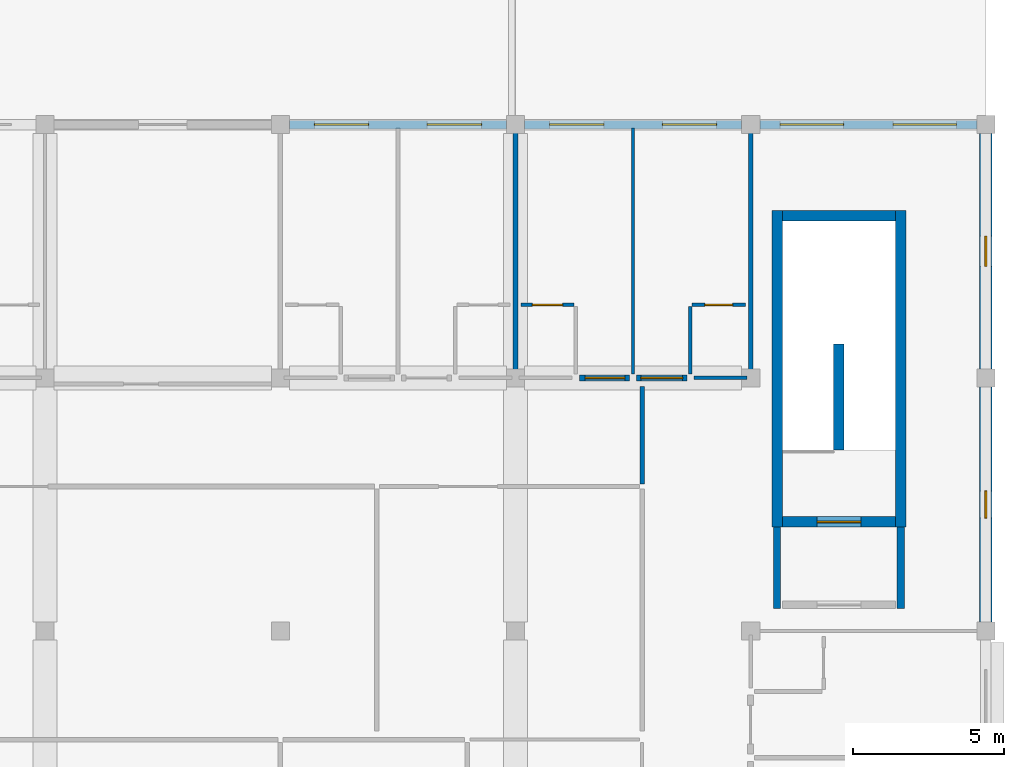
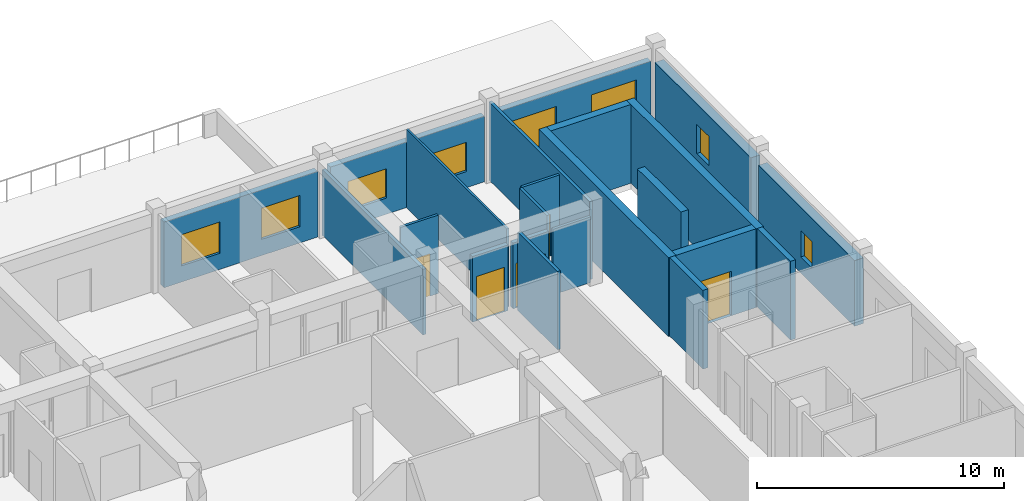
# One storey, part 24 of 32: 22 walls, 8 windows, 5 doors, 13 openings.
"""IFC4 building model written with IfcOpenShell, lengths in metres."""

from ifc_helpers import new_model, si_unit, direction, frame, frame_2d, origin, place, context, subcontext, project, spatial, rectangle, extrude, material, layer, layer_set, type_object, element, fill, save


model = new_model("IFC4")

# Units and contexts
model_context = context("Model", 3, precision=1e-05, world=origin(), true_north=direction((0.0, 1.0)))
body_context = subcontext(model_context, "Body", "Model", "MODEL_VIEW")
ifc_project = project(units=[si_unit("LENGTHUNIT", "METRE"), si_unit("AREAUNIT", "SQUARE_METRE"), si_unit("VOLUMEUNIT", "CUBIC_METRE"), si_unit("PLANEANGLEUNIT", "RADIAN"), si_unit("MASSUNIT", "GRAM", prefix="KILO"), si_unit("THERMODYNAMICTEMPERATUREUNIT", "KELVIN"), si_unit("POWERUNIT", "WATT")], contexts=[model_context])

# Site, building, storey
site_placement = place(None, origin())
site = spatial("IfcSite", under=ifc_project, at=site_placement, CompositionType="ELEMENT")
building_placement = place(site_placement, origin())
building = spatial("IfcBuilding", under=site, at=building_placement, Name="Srebrne Nadtorze General Hospital", CompositionType="ELEMENT")
storey_placement = place(building_placement, frame((0.0, 0.0, 29.699951171875)))
storey = spatial("IfcBuildingStorey", under=building, at=storey_placement, Name="L07", CompositionType="ELEMENT", Elevation=29.699951171875)

# Wall, opening, window
ifc_material_1 = material(Name="Concrete C40/50", Category="concrete")
ifc_layer_1 = layer(ifc_material_1, 0.419921875)
ifc_layer_set_1 = layer_set([ifc_layer_1], Name="Concrete C40/50")
wall_type_1 = type_object("IfcWallType", Name="Acoustic buffer wall 420", PredefinedType="SOLIDWALL", material=ifc_layer_set_1)
wall_1_placement = place(storey_placement, frame((148.199951171875, 67.5, 0.0), z_axis=(0.0, 0.0, 1.0), x_axis=(0.0, 1.0, 0.0)))
wall_1 = element("IfcWall", 1, at=wall_1_placement, inside=storey, type_object=wall_type_1, Name="Exterior wall WL-ENV-L07-0548", PredefinedType="SOLIDWALL", context=body_context, shape_type="SweptSolid", body=[
    extrude(rectangle(XDim=7.800048828125, YDim=0.419921875, at=frame_2d((3.89990234375, 0.0))), origin(), (0.0, 0.0, 1.0), 3.25),
])
opening_1_placement = place(wall_1_placement, frame((3.449951171875, 0.0, 0.800048828125)))
opening_1 = element("IfcOpeningElement", 2, at=opening_1_placement, cuts=wall_1, Name="Opening WN-L07-0924", PredefinedType="OPENING", context=body_context, shape_type="SweptSolid", body=[
    extrude(rectangle(XDim=0.89990234375, YDim=1.300048828125, at=frame_2d((0.449951171875, 0.64990234375))), frame((0.0, 0.221923828125, 0.0), z_axis=(0.0, -1.0, 0.0), x_axis=(1.0, 0.0, 0.0)), (0.0, 0.0, 1.0), 0.44384765625),
])
ifc_material_2 = material(Name="Triple Low-E Glazing", Category="glass")
window_type_1 = type_object("IfcWindowType", Name="Punched clinical window 900x1300", PartitioningType="SINGLE_PANEL", PredefinedType="WINDOW", material=ifc_material_2)
window_1_placement = place(opening_1_placement, origin())
window_1 = element("IfcWindow", 3, at=window_1_placement, inside=storey, type_object=window_type_1, Name="Clinical window WN-L07-0924", OverallHeight=1.300048828125, OverallWidth=0.89990234375, PartitioningType="SINGLE_PANEL", PredefinedType="WINDOW", context=body_context, shape_type="SweptSolid", body=[
    extrude(rectangle(XDim=0.89990234375, YDim=1.300048828125, at=frame_2d((0.449951171875, 0.64990234375))), frame((0.0, 0.030029296875, 0.0), z_axis=(0.0, -1.0, 0.0), x_axis=(1.0, 0.0, 0.0)), (0.0, 0.0, 1.0), 0.06005859375),
])
fill(opening_1, window_1)

wall_2_placement = place(storey_placement, frame((148.199951171875, 75.89990234375, 0.0), z_axis=(0.0, 0.0, 1.0), x_axis=(0.0, 1.0, 0.0)))
wall_2 = element("IfcWall", 4, at=wall_2_placement, inside=storey, type_object=wall_type_1, Name="Exterior wall WL-ENV-L07-0549", PredefinedType="SOLIDWALL", context=body_context, shape_type="SweptSolid", body=[
    extrude(rectangle(XDim=7.800048828125, YDim=0.419921875, at=frame_2d((3.89990234375, 0.0))), origin(), (0.0, 0.0, 1.0), 3.25),
])
opening_2_placement = place(wall_2_placement, frame((3.39990234375, 0.0, 0.800048828125)))
opening_2 = element("IfcOpeningElement", 5, at=opening_2_placement, cuts=wall_2, Name="Opening WN-L07-0925", PredefinedType="OPENING", context=body_context, shape_type="SweptSolid", body=[
    extrude(rectangle(XDim=1.0, YDim=1.449951171875, at=frame_2d((0.5, 0.72509765625))), frame((0.0, 0.221923828125, 0.0), z_axis=(0.0, -1.0, 0.0), x_axis=(1.0, 0.0, 0.0)), (0.0, 0.0, 1.0), 0.44384765625),
])
ifc_material_3 = material(Name="Triple Low-E Glazing", Category="glass")
window_type_2 = type_object("IfcWindowType", Name="Punched clinical window 1000x1450", PartitioningType="SINGLE_PANEL", PredefinedType="WINDOW", material=ifc_material_3)
window_2_placement = place(opening_2_placement, origin())
window_2 = element("IfcWindow", 6, at=window_2_placement, inside=storey, type_object=window_type_2, Name="Clinical window WN-L07-0925", OverallHeight=1.449951171875, OverallWidth=1.0, PartitioningType="SINGLE_PANEL", PredefinedType="WINDOW", context=body_context, shape_type="SweptSolid", body=[
    extrude(rectangle(XDim=1.0, YDim=1.449951171875, at=frame_2d((0.5, 0.72509765625))), frame((0.0, 0.030029296875, 0.0), z_axis=(0.0, -1.0, 0.0), x_axis=(1.0, 0.0, 0.0)), (0.0, 0.0, 1.0), 0.06005859375),
])
fill(opening_2, window_2)

# Walls
ifc_material_4 = material(Name="Gypsum Healthcare Partition")
ifc_layer_2 = layer(ifc_material_4, 0.139892578125)
ifc_layer_set_2 = layer_set([ifc_layer_2], Name="Gypsum Healthcare Partition")
wall_type_2 = type_object("IfcWallType", Name="Clinical partition 140", PredefinedType="PARTITIONING", material=ifc_layer_set_2)
wall_3_placement = place(storey_placement, frame((140.39990234375, 75.719970703125, 0.0), z_axis=(0.0, 0.0, 1.0), x_axis=(0.0, 1.0, 0.0)))
element("IfcWall", 7, at=wall_3_placement, inside=storey, type_object=wall_type_2, Name="Ward inter-room partition WL-INT-L07-2366", PredefinedType="PARTITIONING", context=body_context, shape_type="SweptSolid", body=[
    extrude(rectangle(XDim=8.159912109375, YDim=0.139892578125, at=frame_2d((4.080078125, 0.0))), origin(), (0.0, 0.0, 1.0), 3.880126953125),
])
wall_4_placement = place(storey_placement, frame((136.800048828125, 72.0849609375, 0.0), z_axis=(0.0, 0.0, 1.0), x_axis=(0.0, 1.0, 0.0)))
element("IfcWall", 8, at=wall_4_placement, inside=storey, type_object=wall_type_2, Name="Inpatient Ward Day Room wall WL-INT-L07-2466", PredefinedType="PARTITIONING", context=body_context, shape_type="SweptSolid", body=[
    extrude(rectangle(XDim=3.22998046875, YDim=0.139892578125, at=frame_2d((1.614990234375, 0.0))), origin(), (0.0, 0.0, 1.0), 3.880126953125),
])
ifc_material_5 = material(Name="Gypsum Healthcare Partition")
ifc_layer_3 = layer(ifc_material_5, 0.159912109375)
ifc_layer_set_3 = layer_set([ifc_layer_3], Name="Gypsum Healthcare Partition")
wall_type_3 = type_object("IfcWallType", Name="Clinical partition 160", PredefinedType="PARTITIONING", material=ifc_layer_set_3)
wall_5_placement = place(storey_placement, frame((132.60009765625, 75.719970703125, 0.0), z_axis=(0.0, 0.0, 1.0), x_axis=(0.0, 1.0, 0.0)))
element("IfcWall", 9, at=wall_5_placement, inside=storey, type_object=wall_type_3, Name="Ward inter-room partition WL-INT-L07-2356", PredefinedType="PARTITIONING", context=body_context, shape_type="SweptSolid", body=[
    extrude(rectangle(XDim=8.159912109375, YDim=0.159912109375, at=frame_2d((4.080078125, 0.0))), origin(), (0.0, 0.0, 1.0), 3.25),
])

# Wall, opening, door
ifc_material_6 = material(Name="Gypsum Healthcare Partition")
ifc_layer_4 = layer(ifc_material_6, 0.199951171875)
ifc_layer_set_4 = layer_set([ifc_layer_4], Name="Gypsum Healthcare Partition")
wall_type_4 = type_object("IfcWallType", Name="Compartment wall 200", PredefinedType="STANDARD", material=ifc_layer_set_4)
wall_6_placement = place(storey_placement, frame((134.719970703125, 75.60009765625, 0.0), z_axis=(0.0, 0.0, 1.0), x_axis=(1.0, 0.0, 0.0)))
wall_6 = element("IfcWall", 10, at=wall_6_placement, inside=storey, type_object=wall_type_4, Name="Ward corridor wall WL-INT-L07-2362", PredefinedType="STANDARD", context=body_context, shape_type="SweptSolid", body=[
    extrude(rectangle(XDim=1.659912109375, YDim=0.199951171875, at=frame_2d((0.830078125, 0.0))), origin(), (0.0, 0.0, 1.0), 3.25),
])
opening_3_placement = place(wall_6_placement, frame((0.18994140625, 0.0, 0.0)))
opening_3 = element("IfcOpeningElement", 11, at=opening_3_placement, cuts=wall_6, Name="Opening D-L07-0533", PredefinedType="OPENING", context=body_context, shape_type="SweptSolid", body=[
    extrude(rectangle(XDim=1.320068359375, YDim=2.199951171875, at=frame_2d((0.66015625, 1.10009765625))), frame((0.0, 0.11181640625, 0.0), z_axis=(0.0, -1.0, 0.0), x_axis=(1.0, 0.0, 0.0)), (0.0, 0.0, 1.0), 0.223876953125),
])
ifc_material_7 = material(Name="Anodised Aluminium", Category="aluminium")
door_type_1 = type_object("IfcDoorType", Name="Single leaf door 1320x2200", OperationType="NOTDEFINED", PredefinedType="DOOR", material=ifc_material_7)
door_1_placement = place(opening_3_placement, origin())
door_1 = element("IfcDoor", 12, at=door_1_placement, inside=storey, type_object=door_type_1, Name="Ward patient room door D-L07-0533", OperationType="SINGLE_SWING_RIGHT", OverallHeight=2.199951171875, OverallWidth=1.320068359375, PredefinedType="DOOR", context=body_context, shape_type="SweptSolid", body=[
    extrude(rectangle(XDim=1.320068359375, YDim=2.199951171875, at=frame_2d((0.66015625, 1.10009765625))), frame((0.0, 0.02490234375, 0.0), z_axis=(0.0, -1.0, 0.0), x_axis=(1.0, 0.0, 0.0)), (0.0, 0.0, 1.0), 0.050048828125),
])
fill(opening_3, door_1)

wall_7_placement = place(storey_placement, frame((136.6201171875, 75.60009765625, 0.0), z_axis=(0.0, 0.0, 1.0), x_axis=(1.0, 0.0, 0.0)))
wall_7 = element("IfcWall", 13, at=wall_7_placement, inside=storey, type_object=wall_type_4, Name="Ward corridor wall WL-INT-L07-2367", PredefinedType="STANDARD", context=body_context, shape_type="SweptSolid", body=[
    extrude(rectangle(XDim=1.659912109375, YDim=0.199951171875, at=frame_2d((0.830078125, 0.0))), origin(), (0.0, 0.0, 1.0), 3.25),
])
opening_4_placement = place(wall_7_placement, frame((0.139892578125, 0.0, 0.0)))
opening_4 = element("IfcOpeningElement", 14, at=opening_4_placement, cuts=wall_7, Name="Opening D-L07-0535", PredefinedType="OPENING", context=body_context, shape_type="SweptSolid", body=[
    extrude(rectangle(XDim=1.3798828125, YDim=2.199951171875, at=frame_2d((0.68994140625, 1.10009765625))), frame((0.0, 0.11181640625, 0.0), z_axis=(0.0, -1.0, 0.0), x_axis=(1.0, 0.0, 0.0)), (0.0, 0.0, 1.0), 0.223876953125),
])
ifc_material_8 = material(Name="Anodised Aluminium", Category="aluminium")
door_type_2 = type_object("IfcDoorType", Name="Single leaf door 1380x2200", OperationType="NOTDEFINED", PredefinedType="DOOR", material=ifc_material_8)
door_2_placement = place(opening_4_placement, origin())
door_2 = element("IfcDoor", 15, at=door_2_placement, inside=storey, type_object=door_type_2, Name="Ward patient room door D-L07-0535", OperationType="SINGLE_SWING_LEFT", OverallHeight=2.199951171875, OverallWidth=1.3798828125, PredefinedType="DOOR", context=body_context, shape_type="SweptSolid", body=[
    extrude(rectangle(XDim=1.3798828125, YDim=2.199951171875, at=frame_2d((0.68994140625, 1.10009765625))), frame((0.0, 0.02490234375, 0.0), z_axis=(0.0, -1.0, 0.0), x_axis=(1.0, 0.0, 0.0)), (0.0, 0.0, 1.0), 0.050048828125),
])
fill(opening_4, door_2)

# Walls
ifc_material_9 = material(Name="Gypsum Healthcare Partition")
ifc_layer_5 = layer(ifc_material_9, 0.239990234375)
ifc_layer_set_5 = layer_set([ifc_layer_5], Name="Gypsum Healthcare Partition")
wall_type_5 = type_object("IfcWallType", Name="Corridor fire wall 240", PredefinedType="STANDARD", material=ifc_layer_set_5)
for number, where, z_axis, x_axis, name in (
    (16, (141.27490234375, 67.955078125, 0.0), (0.0, 0.0, 1.0), (0.0, 1.0, 0.0), "Fire lobby wall ST-04 WL-INT-L07-0437"),
    (17, (145.375, 67.955078125, 0.0), (0.0, 0.0, 1.0), (0.0, 1.0, 0.0), "Fire lobby wall ST-04 WL-INT-L07-0438"),
):
    element("IfcWall", number, at=place(storey_placement, frame(where, z_axis=z_axis, x_axis=x_axis)), inside=storey, type_object=wall_type_5, Name=name, PredefinedType="STANDARD", context=body_context, shape_type="SweptSolid", body=[
        extrude(rectangle(XDim=2.69482421875, YDim=0.239990234375, at=frame_2d((1.347412109375, 0.0))), origin(), (0.0, 0.0, 1.0), 3.900146484375),
    ])

# Wall, opening, door
ifc_material_10 = material(Name="Gypsum Healthcare Partition")
ifc_layer_6 = layer(ifc_material_10, 0.1201171875)
ifc_layer_set_6 = layer_set([ifc_layer_6], Name="Gypsum Healthcare Partition")
wall_type_6 = type_object("IfcWallType", Name="En-suite partition 120", PredefinedType="PARTITIONING", material=ifc_layer_set_6)
wall_8_placement = place(storey_placement, frame((132.780029296875, 78.02001953125, 0.0), z_axis=(0.0, 0.0, 1.0), x_axis=(1.0, 0.0, 0.0)))
wall_8 = element("IfcWall", 18, at=wall_8_placement, inside=storey, type_object=wall_type_6, Name="En-suite wet wall WL-INT-L07-2365", PredefinedType="PARTITIONING", context=body_context, shape_type="SweptSolid", body=[
    extrude(rectangle(XDim=1.760009765625, YDim=0.1201171875, at=frame_2d((0.8798828125, 0.0))), origin(), (0.0, 0.0, 1.0), 3.880126953125),
])
opening_5_placement = place(wall_8_placement, frame((0.3798828125, 0.0, 0.0)))
opening_5 = element("IfcOpeningElement", 19, at=opening_5_placement, cuts=wall_8, Name="Opening D-L07-0534", PredefinedType="OPENING", context=body_context, shape_type="SweptSolid", body=[
    extrude(rectangle(XDim=1.0, YDim=2.10009765625, at=frame_2d((0.5, 1.050048828125))), frame((0.0, 0.072021484375, 0.0), z_axis=(0.0, -1.0, 0.0), x_axis=(1.0, 0.0, 0.0)), (0.0, 0.0, 1.0), 0.14404296875),
])
ifc_material_11 = material(Name="Anodised Aluminium", Category="aluminium")
door_type_3 = type_object("IfcDoorType", Name="Single leaf door 1000x2100", OperationType="NOTDEFINED", PredefinedType="DOOR", material=ifc_material_11)
door_3_placement = place(opening_5_placement, frame((1.0, 0.0, 0.0), z_axis=(0.0, 0.0, 1.0), x_axis=(-1.0, 0.0, 0.0)))
door_3 = element("IfcDoor", 20, at=door_3_placement, inside=storey, type_object=door_type_3, Name="En-suite bathroom door D-L07-0534", OperationType="SINGLE_SWING_LEFT", OverallHeight=2.10009765625, OverallWidth=1.0, PredefinedType="DOOR", context=body_context, shape_type="SweptSolid", body=[
    extrude(rectangle(XDim=1.0, YDim=2.10009765625, at=frame_2d((0.5, 1.050048828125))), frame((0.0, 0.02490234375, 0.0), z_axis=(0.0, -1.0, 0.0), x_axis=(1.0, 0.0, 0.0)), (0.0, 0.0, 1.0), 0.050048828125),
])
fill(opening_5, door_3)

# Walls
wall_9_placement = place(storey_placement, frame((138.52001953125, 75.60009765625, 0.0), z_axis=(0.0, 0.0, 1.0), x_axis=(1.0, 0.0, 0.0)))
element("IfcWall", 21, at=wall_9_placement, inside=storey, type_object=wall_type_6, Name="En-suite corridor wall WL-INT-L07-2368", PredefinedType="PARTITIONING", context=body_context, shape_type="SweptSolid", body=[
    extrude(rectangle(XDim=1.760009765625, YDim=0.1201171875, at=frame_2d((0.8798828125, 0.0))), origin(), (0.0, 0.0, 1.0), 3.25),
])
wall_10_placement = place(storey_placement, frame((138.39990234375, 75.719970703125, 0.0), z_axis=(0.0, 0.0, 1.0), x_axis=(0.0, 1.0, 0.0)))
element("IfcWall", 22, at=wall_10_placement, inside=storey, type_object=wall_type_6, Name="En-suite wet wall WL-INT-L07-2369", PredefinedType="PARTITIONING", context=body_context, shape_type="SweptSolid", body=[
    extrude(rectangle(XDim=2.239990234375, YDim=0.1201171875, at=frame_2d((1.1201171875, 0.0))), origin(), (0.0, 0.0, 1.0), 3.880126953125),
])

# Wall, opening, door
wall_11_placement = place(storey_placement, frame((138.4599609375, 78.02001953125, 0.0), z_axis=(0.0, 0.0, 1.0), x_axis=(1.0, 0.0, 0.0)))
wall_11 = element("IfcWall", 23, at=wall_11_placement, inside=storey, type_object=wall_type_6, Name="En-suite wet wall WL-INT-L07-2370", PredefinedType="PARTITIONING", context=body_context, shape_type="SweptSolid", body=[
    extrude(rectangle(XDim=1.760009765625, YDim=0.1201171875, at=frame_2d((0.8798828125, 0.0))), origin(), (0.0, 0.0, 1.0), 3.880126953125),
])
opening_6_placement = place(wall_11_placement, frame((0.419921875, 0.0, 0.0)))
opening_6 = element("IfcOpeningElement", 24, at=opening_6_placement, cuts=wall_11, Name="Opening D-L07-0536", PredefinedType="OPENING", context=body_context, shape_type="SweptSolid", body=[
    extrude(rectangle(XDim=0.919921875, YDim=2.080078125, at=frame_2d((0.4599609375, 1.0400390625))), frame((0.0, 0.072021484375, 0.0), z_axis=(0.0, -1.0, 0.0), x_axis=(1.0, 0.0, 0.0)), (0.0, 0.0, 1.0), 0.14404296875),
])
ifc_material_12 = material(Name="Anodised Aluminium", Category="aluminium")
door_type_4 = type_object("IfcDoorType", Name="Single leaf door 920x2080", OperationType="NOTDEFINED", PredefinedType="DOOR", material=ifc_material_12)
door_4_placement = place(opening_6_placement, frame((0.919921875, 0.0, 0.0), z_axis=(0.0, 0.0, 1.0), x_axis=(-1.0, 0.0, 0.0)))
door_4 = element("IfcDoor", 25, at=door_4_placement, inside=storey, type_object=door_type_4, Name="En-suite bathroom door D-L07-0536", OperationType="SINGLE_SWING_LEFT", OverallHeight=2.080078125, OverallWidth=0.919921875, PredefinedType="DOOR", context=body_context, shape_type="SweptSolid", body=[
    extrude(rectangle(XDim=0.919921875, YDim=2.080078125, at=frame_2d((0.4599609375, 1.0400390625))), frame((0.0, 0.02490234375, 0.0), z_axis=(0.0, -1.0, 0.0), x_axis=(1.0, 0.0, 0.0)), (0.0, 0.0, 1.0), 0.050048828125),
])
fill(opening_6, door_4)

# Walls
ifc_material_13 = material(Name="Gypsum Healthcare Partition")
ifc_layer_7 = layer(ifc_material_13, 0.10009765625)
ifc_layer_set_7 = layer_set([ifc_layer_7], Name="Gypsum Healthcare Partition")
wall_type_7 = type_object("IfcWallType", Name="Shaft lining wall 100", PredefinedType="PARTITIONING", material=ifc_layer_set_7)
wall_12_placement = place(storey_placement, frame((136.5, 75.719970703125, 0.0), z_axis=(0.0, 0.0, 1.0), x_axis=(0.0, 1.0, 0.0)))
element("IfcWall", 26, at=wall_12_placement, inside=storey, type_object=wall_type_7, Name="Ward inter-room partition WL-INT-L07-2361", PredefinedType="PARTITIONING", context=body_context, shape_type="SweptSolid", body=[
    extrude(rectangle(XDim=8.159912109375, YDim=0.10009765625, at=frame_2d((4.080078125, 0.0))), origin(), (0.0, 0.0, 1.0), 3.880126953125),
])
ifc_material_14 = material(Name="Concrete C40/50", Category="concrete")
ifc_layer_8 = layer(ifc_material_14, 0.35009765625)
ifc_layer_set_8 = layer_set([ifc_layer_8], Name="Concrete C40/50")
wall_type_8 = type_object("IfcWallType", Name="Shear core wall 350", PredefinedType="SHEAR", material=ifc_layer_set_8)
for number, where, z_axis, x_axis, name in (
    (27, (141.27490234375, 70.64990234375, 0.0), (0.0, 0.0, 1.0), (0.0, 1.0, 0.0), "Stair core wall ST-04 WL-INT-L07-0433"),
    (28, (145.375, 70.64990234375, 0.0), (0.0, 0.0, 1.0), (0.0, 1.0, 0.0), "Stair core wall ST-04 WL-INT-L07-0434"),
):
    element("IfcWall", number, at=place(storey_placement, frame(where, z_axis=z_axis, x_axis=x_axis)), inside=storey, type_object=wall_type_8, Name=name, PredefinedType="SHEAR", context=body_context, shape_type="SweptSolid", body=[
        extrude(rectangle(XDim=10.5, YDim=0.35009765625, at=frame_2d((5.25, 0.0))), origin(), (0.0, 0.0, 1.0), 3.900146484375),
    ])
wall_13_placement = place(storey_placement, frame((141.449951171875, 80.97509765625, 0.0), z_axis=(0.0, 0.0, 1.0), x_axis=(1.0, 0.0, 0.0)))
element("IfcWall", 29, at=wall_13_placement, inside=storey, type_object=wall_type_8, Name="Stair core wall ST-04 WL-INT-L07-0435", PredefinedType="SHEAR", context=body_context, shape_type="SweptSolid", body=[
    extrude(rectangle(XDim=3.75, YDim=0.35009765625, at=frame_2d((1.875, 0.0))), origin(), (0.0, 0.0, 1.0), 3.900146484375),
])

# Wall, opening, door
wall_14_placement = place(storey_placement, frame((141.449951171875, 70.824951171875, 0.0), z_axis=(0.0, 0.0, 1.0), x_axis=(1.0, 0.0, 0.0)))
wall_14 = element("IfcWall", 30, at=wall_14_placement, inside=storey, type_object=wall_type_8, Name="Stairwell fire wall ST-04 WL-INT-L07-0436", PredefinedType="SHEAR", context=body_context, shape_type="SweptSolid", body=[
    extrude(rectangle(XDim=3.75, YDim=0.35009765625, at=frame_2d((1.875, 0.0))), origin(), (0.0, 0.0, 1.0), 3.900146484375),
])
opening_7_placement = place(wall_14_placement, frame((1.14990234375, 0.0, 0.0)))
opening_7 = element("IfcOpeningElement", 31, at=opening_7_placement, cuts=wall_14, Name="Opening D-L07-0109", PredefinedType="OPENING", context=body_context, shape_type="SweptSolid", body=[
    extrude(rectangle(XDim=1.449951171875, YDim=2.199951171875, at=frame_2d((0.72509765625, 1.10009765625))), frame((0.0, 0.18701171875, 0.0), z_axis=(0.0, -1.0, 0.0), x_axis=(1.0, 0.0, 0.0)), (0.0, 0.0, 1.0), 0.3740234375),
])
ifc_material_15 = material(Name="Anodised Aluminium", Category="aluminium")
door_type_5 = type_object("IfcDoorType", Name="Double leaf door 1450x2200", OperationType="DOUBLE_DOOR_SINGLE_SWING", PredefinedType="DOOR", material=ifc_material_15)
door_5_placement = place(opening_7_placement, origin())
door_5 = element("IfcDoor", 32, at=door_5_placement, inside=storey, type_object=door_type_5, Name="Protected stair door ST-04 D-L07-0109", OperationType="DOUBLE_DOOR_SINGLE_SWING", OverallHeight=2.199951171875, OverallWidth=1.449951171875, PredefinedType="DOOR", context=body_context, shape_type="SweptSolid", body=[
    extrude(rectangle(XDim=1.449951171875, YDim=2.199951171875, at=frame_2d((0.72509765625, 1.10009765625))), frame((0.0, 0.02490234375, 0.0), z_axis=(0.0, -1.0, 0.0), x_axis=(1.0, 0.0, 0.0)), (0.0, 0.0, 1.0), 0.050048828125),
])
fill(opening_7, door_5)

# Wall
wall_15_placement = place(storey_placement, frame((143.324951171875, 73.199951171875, 0.0), z_axis=(0.0, 0.0, 1.0), x_axis=(0.0, 1.0, 0.0)))
element("IfcWall", 33, at=wall_15_placement, inside=storey, type_object=wall_type_8, Name="Stair spine wall ST-04 WL-INT-L07-0440", PredefinedType="SHEAR", context=body_context, shape_type="SweptSolid", body=[
    extrude(rectangle(XDim=3.52001953125, YDim=0.35009765625, at=frame_2d((1.760009765625, 0.0))), origin(), (0.0, 0.0, 1.0), 3.900146484375),
])

# Wall, openings, windows
ifc_material_16 = material(Name="Concrete C35/45 precast", Category="concrete")
ifc_layer_9 = layer(ifc_material_16, 0.280029296875)
ifc_layer_set_9 = layer_set([ifc_layer_9], Name="Concrete C35/45 precast")
wall_type_9 = type_object("IfcWallType", Name="Spandrel wall 280", PredefinedType="STANDARD", material=ifc_layer_set_9)
wall_16_placement = place(storey_placement, frame((125.10009765625, 84.0, 0.0), z_axis=(0.0, 0.0, 1.0), x_axis=(1.0, 0.0, 0.0)))
wall_16 = element("IfcWall", 34, at=wall_16_placement, inside=storey, type_object=wall_type_9, Name="Exterior wall WL-ENV-L07-0519", PredefinedType="STANDARD", context=body_context, shape_type="SweptSolid", body=[
    extrude(rectangle(XDim=7.199951171875, YDim=0.280029296875, at=frame_2d((3.60009765625, 0.0))), origin(), (0.0, 0.0, 1.0), 3.25),
])
opening_8_placement = place(wall_16_placement, frame((0.827880859375, 0.0, 0.800048828125)))
opening_8 = element("IfcOpeningElement", 35, at=opening_8_placement, cuts=wall_16, Name="Opening WN-L07-0870", PredefinedType="OPENING", context=body_context, shape_type="SweptSolid", body=[
    extrude(rectangle(XDim=1.800048828125, YDim=1.550048828125, at=frame_2d((0.89990234375, 0.77490234375))), frame((0.0, 0.15185546875, 0.0), z_axis=(0.0, -1.0, 0.0), x_axis=(1.0, 0.0, 0.0)), (0.0, 0.0, 1.0), 0.303955078125),
])
opening_9_placement = place(wall_16_placement, frame((4.572021484375, 0.0, 0.800048828125)))
opening_9 = element("IfcOpeningElement", 36, at=opening_9_placement, cuts=wall_16, Name="Opening WN-L07-0871", PredefinedType="OPENING", context=body_context, shape_type="SweptSolid", body=[
    extrude(rectangle(XDim=1.800048828125, YDim=1.550048828125, at=frame_2d((0.89990234375, 0.77490234375))), frame((0.0, 0.15185546875, 0.0), z_axis=(0.0, -1.0, 0.0), x_axis=(1.0, 0.0, 0.0)), (0.0, 0.0, 1.0), 0.303955078125),
])
ifc_material_17 = material(Name="Triple Low-E Glazing", Category="glass")
window_type_3 = type_object("IfcWindowType", Name="Punched clinical window 1800x1550", PartitioningType="DOUBLE_PANEL_VERTICAL", PredefinedType="WINDOW", material=ifc_material_17)
window_3_placement = place(opening_8_placement, origin())
window_3 = element("IfcWindow", 37, at=window_3_placement, inside=storey, type_object=window_type_3, Name="Clinical window WN-L07-0870", OverallHeight=1.550048828125, OverallWidth=1.800048828125, PartitioningType="DOUBLE_PANEL_VERTICAL", PredefinedType="WINDOW", context=body_context, shape_type="SweptSolid", body=[
    extrude(rectangle(XDim=1.800048828125, YDim=1.550048828125, at=frame_2d((0.89990234375, 0.77490234375))), frame((0.0, 0.030029296875, 0.0), z_axis=(0.0, -1.0, 0.0), x_axis=(1.0, 0.0, 0.0)), (0.0, 0.0, 1.0), 0.06005859375),
])
fill(opening_8, window_3)
window_4_placement = place(opening_9_placement, origin())
window_4 = element("IfcWindow", 38, at=window_4_placement, inside=storey, type_object=window_type_3, Name="Clinical window WN-L07-0871", OverallHeight=1.550048828125, OverallWidth=1.800048828125, PartitioningType="DOUBLE_PANEL_VERTICAL", PredefinedType="WINDOW", context=body_context, shape_type="SweptSolid", body=[
    extrude(rectangle(XDim=1.800048828125, YDim=1.550048828125, at=frame_2d((0.89990234375, 0.77490234375))), frame((0.0, 0.030029296875, 0.0), z_axis=(0.0, -1.0, 0.0), x_axis=(1.0, 0.0, 0.0)), (0.0, 0.0, 1.0), 0.06005859375),
])
fill(opening_9, window_4)

wall_17_placement = place(storey_placement, frame((132.89990234375, 84.0, 0.0), z_axis=(0.0, 0.0, 1.0), x_axis=(1.0, 0.0, 0.0)))
wall_17 = element("IfcWall", 39, at=wall_17_placement, inside=storey, type_object=wall_type_9, Name="Exterior wall WL-ENV-L07-0520", PredefinedType="STANDARD", context=body_context, shape_type="SweptSolid", body=[
    extrude(rectangle(XDim=7.2001953125, YDim=0.280029296875, at=frame_2d((3.60009765625, 0.0))), origin(), (0.0, 0.0, 1.0), 3.25),
])
opening_10_placement = place(wall_17_placement, frame((0.827880859375, 0.0, 0.800048828125)))
opening_10 = element("IfcOpeningElement", 40, at=opening_10_placement, cuts=wall_17, Name="Opening WN-L07-0872", PredefinedType="OPENING", context=body_context, shape_type="SweptSolid", body=[
    extrude(rectangle(XDim=1.800048828125, YDim=1.449951171875, at=frame_2d((0.89990234375, 0.72509765625))), frame((0.0, 0.15185546875, 0.0), z_axis=(0.0, -1.0, 0.0), x_axis=(1.0, 0.0, 0.0)), (0.0, 0.0, 1.0), 0.303955078125),
])
opening_11_placement = place(wall_17_placement, frame((4.572021484375, 0.0, 0.800048828125)))
opening_11 = element("IfcOpeningElement", 41, at=opening_11_placement, cuts=wall_17, Name="Opening WN-L07-0873", PredefinedType="OPENING", context=body_context, shape_type="SweptSolid", body=[
    extrude(rectangle(XDim=1.800048828125, YDim=1.449951171875, at=frame_2d((0.89990234375, 0.72509765625))), frame((0.0, 0.15185546875, 0.0), z_axis=(0.0, -1.0, 0.0), x_axis=(1.0, 0.0, 0.0)), (0.0, 0.0, 1.0), 0.303955078125),
])
ifc_material_18 = material(Name="Triple Low-E Glazing", Category="glass")
window_type_4 = type_object("IfcWindowType", Name="Punched clinical window 1800x1450", PartitioningType="DOUBLE_PANEL_VERTICAL", PredefinedType="WINDOW", material=ifc_material_18)
window_5_placement = place(opening_10_placement, origin())
window_5 = element("IfcWindow", 42, at=window_5_placement, inside=storey, type_object=window_type_4, Name="Clinical window WN-L07-0872", OverallHeight=1.449951171875, OverallWidth=1.800048828125, PartitioningType="DOUBLE_PANEL_VERTICAL", PredefinedType="WINDOW", context=body_context, shape_type="SweptSolid", body=[
    extrude(rectangle(XDim=1.800048828125, YDim=1.449951171875, at=frame_2d((0.89990234375, 0.72509765625))), frame((0.0, 0.030029296875, 0.0), z_axis=(0.0, -1.0, 0.0), x_axis=(1.0, 0.0, 0.0)), (0.0, 0.0, 1.0), 0.06005859375),
])
fill(opening_10, window_5)
window_6_placement = place(opening_11_placement, origin())
window_6 = element("IfcWindow", 43, at=window_6_placement, inside=storey, type_object=window_type_4, Name="Clinical window WN-L07-0873", OverallHeight=1.449951171875, OverallWidth=1.800048828125, PartitioningType="DOUBLE_PANEL_VERTICAL", PredefinedType="WINDOW", context=body_context, shape_type="SweptSolid", body=[
    extrude(rectangle(XDim=1.800048828125, YDim=1.449951171875, at=frame_2d((0.89990234375, 0.72509765625))), frame((0.0, 0.030029296875, 0.0), z_axis=(0.0, -1.0, 0.0), x_axis=(1.0, 0.0, 0.0)), (0.0, 0.0, 1.0), 0.06005859375),
])
fill(opening_11, window_6)

wall_18_placement = place(storey_placement, frame((140.699951171875, 84.0, 0.0), z_axis=(0.0, 0.0, 1.0), x_axis=(1.0, 0.0, 0.0)))
wall_18 = element("IfcWall", 44, at=wall_18_placement, inside=storey, type_object=wall_type_9, Name="Exterior wall WL-ENV-L07-0521", PredefinedType="STANDARD", context=body_context, shape_type="SweptSolid", body=[
    extrude(rectangle(XDim=7.199951171875, YDim=0.280029296875, at=frame_2d((3.60009765625, 0.0))), origin(), (0.0, 0.0, 1.0), 3.25),
])
opening_12_placement = place(wall_18_placement, frame((0.677978515625, 0.0, 0.800048828125)))
opening_12 = element("IfcOpeningElement", 45, at=opening_12_placement, cuts=wall_18, Name="Opening WN-L07-0874", PredefinedType="OPENING", context=body_context, shape_type="SweptSolid", body=[
    extrude(rectangle(XDim=2.10009765625, YDim=1.75, at=frame_2d((1.050048828125, 0.875))), frame((0.0, 0.15185546875, 0.0), z_axis=(0.0, -1.0, 0.0), x_axis=(1.0, 0.0, 0.0)), (0.0, 0.0, 1.0), 0.303955078125),
])
opening_13_placement = place(wall_18_placement, frame((4.422119140625, 0.0, 0.800048828125)))
opening_13 = element("IfcOpeningElement", 46, at=opening_13_placement, cuts=wall_18, Name="Opening WN-L07-0875", PredefinedType="OPENING", context=body_context, shape_type="SweptSolid", body=[
    extrude(rectangle(XDim=2.10009765625, YDim=1.75, at=frame_2d((1.050048828125, 0.875))), frame((0.0, 0.15185546875, 0.0), z_axis=(0.0, -1.0, 0.0), x_axis=(1.0, 0.0, 0.0)), (0.0, 0.0, 1.0), 0.303955078125),
])
ifc_material_19 = material(Name="Triple Low-E Glazing", Category="glass")
window_type_5 = type_object("IfcWindowType", Name="Punched clinical window 2100x1750", PartitioningType="DOUBLE_PANEL_VERTICAL", PredefinedType="WINDOW", material=ifc_material_19)
window_7_placement = place(opening_12_placement, origin())
window_7 = element("IfcWindow", 47, at=window_7_placement, inside=storey, type_object=window_type_5, Name="Clinical window WN-L07-0874", OverallHeight=1.75, OverallWidth=2.10009765625, PartitioningType="DOUBLE_PANEL_VERTICAL", PredefinedType="WINDOW", context=body_context, shape_type="SweptSolid", body=[
    extrude(rectangle(XDim=2.10009765625, YDim=1.75, at=frame_2d((1.050048828125, 0.875))), frame((0.0, 0.030029296875, 0.0), z_axis=(0.0, -1.0, 0.0), x_axis=(1.0, 0.0, 0.0)), (0.0, 0.0, 1.0), 0.06005859375),
])
fill(opening_12, window_7)
window_8_placement = place(opening_13_placement, origin())
window_8 = element("IfcWindow", 48, at=window_8_placement, inside=storey, type_object=window_type_5, Name="Clinical window WN-L07-0875", OverallHeight=1.75, OverallWidth=2.10009765625, PartitioningType="DOUBLE_PANEL_VERTICAL", PredefinedType="WINDOW", context=body_context, shape_type="SweptSolid", body=[
    extrude(rectangle(XDim=2.10009765625, YDim=1.75, at=frame_2d((1.050048828125, 0.875))), frame((0.0, 0.030029296875, 0.0), z_axis=(0.0, -1.0, 0.0), x_axis=(1.0, 0.0, 0.0)), (0.0, 0.0, 1.0), 0.06005859375),
])
fill(opening_13, window_8)

save(model, "model.ifc")
